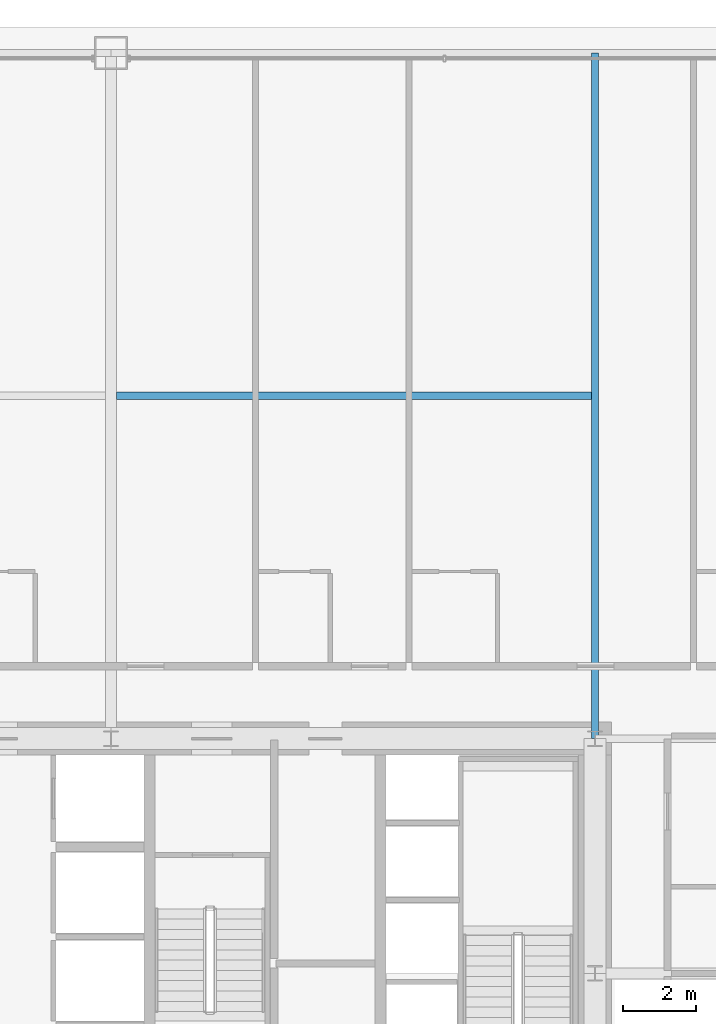
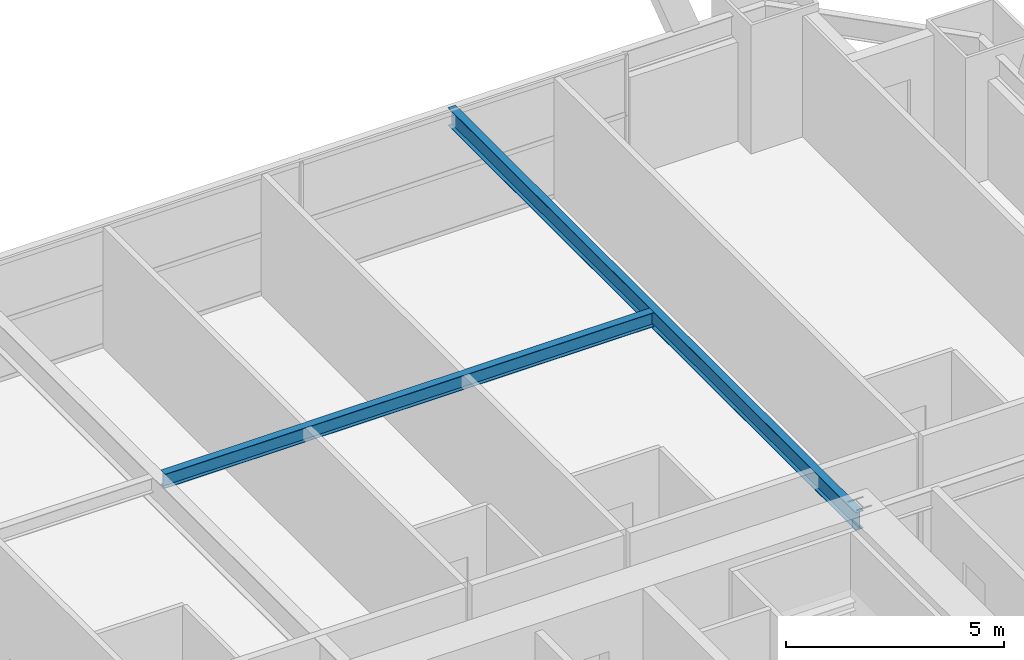
# One storey, part 31 of 43: 2 beams.
"""IFC4 building model written with IfcOpenShell, lengths in metres."""

from ifc_helpers import new_model, si_unit, direction, frame, origin, origin_2d, place, context, subcontext, project, spatial, i_section, extrude, source, transform, mapped, material, material_profile, profile_set, type_object, element, save


model = new_model("IFC4")

# Units and contexts
model_context = context("Model", 3, precision=1e-05, world=origin(), true_north=direction((0.0, 1.0)))
body_context = subcontext(model_context, "Body", "Model", "MODEL_VIEW")
ifc_project = project(units=[si_unit("LENGTHUNIT", "METRE"), si_unit("AREAUNIT", "SQUARE_METRE"), si_unit("VOLUMEUNIT", "CUBIC_METRE"), si_unit("PLANEANGLEUNIT", "RADIAN"), si_unit("MASSUNIT", "GRAM", prefix="KILO"), si_unit("THERMODYNAMICTEMPERATUREUNIT", "KELVIN"), si_unit("POWERUNIT", "WATT")], contexts=[model_context])

# Site, building, storey
site_placement = place(None, origin())
site = spatial("IfcSite", under=ifc_project, at=site_placement, CompositionType="ELEMENT")
building_placement = place(site_placement, origin())
building = spatial("IfcBuilding", under=site, at=building_placement, Name="Yuzanri Waterfront Tower", CompositionType="ELEMENT")
storey_placement = place(building_placement, frame((0.0, 0.0, 53.199951171875)))
storey = spatial("IfcBuildingStorey", under=building, at=storey_placement, Name="L13", CompositionType="ELEMENT", Elevation=53.199951171875)

# Beams
ifc_material_1 = material(Name="Steel Q355B", Category="steel")
ifc_material_profile_1 = material_profile(ifc_material_1, i_section(OverallWidth=0.199951171875, OverallDepth=0.5, WebThickness=0.010009765625, FlangeThickness=0.01611328125, at=origin_2d()), Name="HN 500x200x10x16")
ifc_profile_set_1 = profile_set([ifc_material_profile_1], Name="Steel Q355B")
beam_type_1 = type_object("IfcBeamType", Name="Secondary Floor Beam Q355B HN 500x200", PredefinedType="BEAM", material=ifc_profile_set_1)
shared_shape_1 = source(origin(), body_context, "Body", "SweptSolid", [
    extrude(i_section(OverallWidth=0.199951171875, OverallDepth=0.5, WebThickness=0.010009765625, FlangeThickness=0.01611328125, at=origin_2d()), origin(), (0.0, 0.0, 1.0), 18.699951171875),
])
beam_1_placement = place(storey_placement, frame((50.199951171875, 32.199951171875, 3.130126953125), z_axis=(0.0, 1.0, 0.0), x_axis=(-1.0, 0.0, 0.0)))
element("IfcBeam", 1, at=beam_1_placement, inside=storey, type_object=beam_type_1, Name="L13 North-East Core Line Beam", PredefinedType="BEAM", context=body_context, shape_type="MappedRepresentation", body=[
    mapped(shared_shape_1, transform((0.0, 0.0, 0.0), scale=1.0)),
])
ifc_material_2 = material(Name="Steel Q355B", Category="steel")
ifc_material_profile_2 = material_profile(ifc_material_2, i_section(OverallWidth=0.199951171875, OverallDepth=0.39990234375, WebThickness=0.008056640625, FlangeThickness=0.012939453125, at=origin_2d()), Name="HN 400x200x8x13")
ifc_profile_set_2 = profile_set([ifc_material_profile_2], Name="Steel Q355B")
beam_type_2 = type_object("IfcBeamType", Name="Floor Joist Q355B HN 400x200", PredefinedType="JOIST", material=ifc_profile_set_2)
shared_shape_2 = source(origin(), body_context, "Body", "SweptSolid", [
    extrude(i_section(OverallWidth=0.199951171875, OverallDepth=0.39990234375, WebThickness=0.008056640625, FlangeThickness=0.012939453125, at=origin_2d()), origin(), (0.0, 0.0, 1.0), 12.9501953125),
])
beam_2_placement = place(storey_placement, frame((37.14990234375, 41.550048828125, 3.179931640625), z_axis=(1.0, 0.0, 0.0), x_axis=(0.0, 1.0, 0.0)))
element("IfcBeam", 2, at=beam_2_placement, inside=storey, type_object=beam_type_2, Name="L13 North Bay Joist E", PredefinedType="JOIST", context=body_context, shape_type="MappedRepresentation", body=[
    mapped(shared_shape_2, transform((0.0, 0.0, 0.0), scale=1.0)),
])

save(model, "model.ifc")
